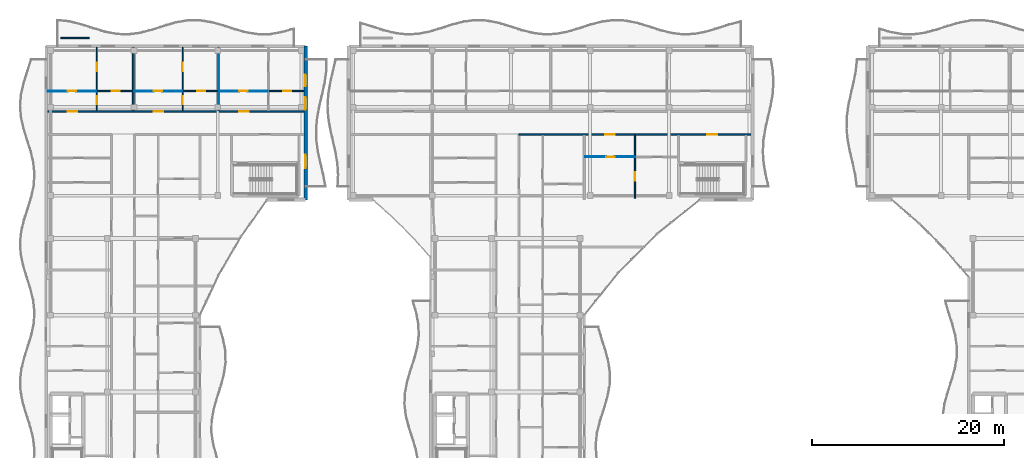
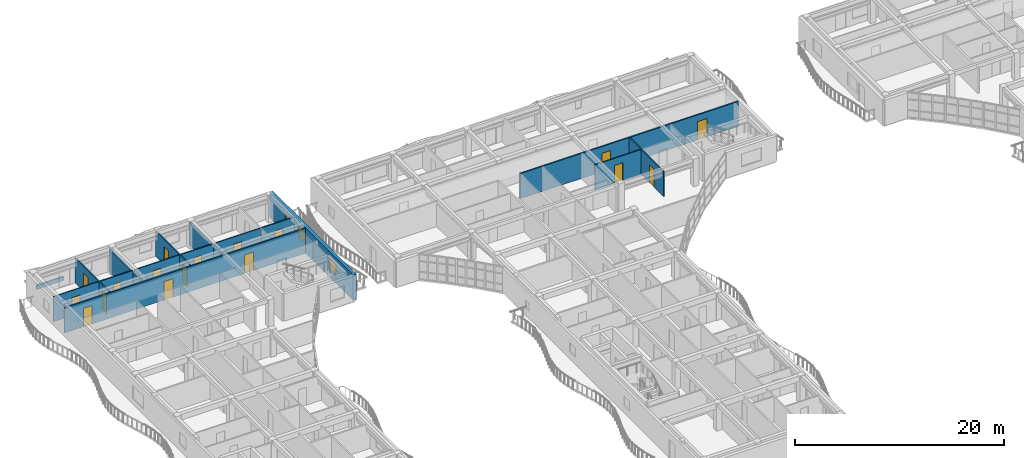
# One storey, part 43 of 79: 18 doors, 16 walls, 2 windows, 20 openings.
"""IFC4 building model written with IfcOpenShell, lengths in metres."""

from ifc_helpers import new_model, si_unit, direction, frame, frame_2d, origin, place, context, subcontext, project, spatial, rectangle, extrude, material, layer, layer_set, type_object, element, fill, save


model = new_model("IFC4")

# Units and contexts
model_context = context("Model", 3, precision=1e-05, world=origin(), true_north=direction((0.0, 1.0)))
body_context = subcontext(model_context, "Body", "Model", "MODEL_VIEW")
ifc_project = project(units=[si_unit("LENGTHUNIT", "METRE"), si_unit("AREAUNIT", "SQUARE_METRE"), si_unit("VOLUMEUNIT", "CUBIC_METRE"), si_unit("PLANEANGLEUNIT", "RADIAN"), si_unit("MASSUNIT", "GRAM", prefix="KILO")], contexts=[model_context])

# Site, building, storey
site_placement = place(None, origin())
site = spatial("IfcSite", under=ifc_project, at=site_placement, CompositionType="ELEMENT")
building_placement = place(site_placement, origin())
building = spatial("IfcBuilding", under=site, at=building_placement, Name="Keldmere Railside Commons", CompositionType="ELEMENT")
storey_placement = place(building_placement, frame((0.0, 0.0, 10.56005859375)))
storey = spatial("IfcBuildingStorey", under=building, at=storey_placement, Name="L03", CompositionType="ELEMENT", Elevation=10.56005859375)

# Walls
ifc_material_1 = material(Name="Acoustic Gypsum Board Partition", Category="gypsum")
ifc_layer_1 = layer(ifc_material_1, 0.179931640625, Name="Acoustic Demising Partition 180")
ifc_layer_set_1 = layer_set([ifc_layer_1], Name="Acoustic Gypsum Board Partition")
wall_type_1 = type_object("IfcWallType", Name="Acoustic Demising Partition 180", PredefinedType="PARTITIONING", material=ifc_layer_set_1)
for number, where, z_axis, x_axis, name in (
    (1, (17.06005859375, 109.280029296875, 0.0), (0.0, 0.0, 1.0), (0.0, 1.0, 0.0), "IW-1 IW-L03-0308"),
    (2, (25.93994140625, 109.280029296875, 0.0), (0.0, 0.0, 1.0), (0.0, 1.0, 0.0), "IW-1 IW-L03-0309"),
):
    element("IfcWall", number, at=place(storey_placement, frame(where, z_axis=z_axis, x_axis=x_axis)), inside=storey, type_object=wall_type_1, Name=name, PredefinedType="PARTITIONING", context=body_context, shape_type="SweptSolid", body=[
        extrude(rectangle(XDim=6.599853515625, YDim=0.179931640625, at=frame_2d((3.2998046875, 0.0))), origin(), (0.0, 0.0, 1.0), 2.679931640625),
    ])

# Wall, openings, doors
ifc_layer_2 = layer(ifc_material_1, 0.1201171875, Name="Apartment Interior Partition 120")
ifc_layer_set_2 = layer_set([ifc_layer_2], Name="Acoustic Gypsum Board Partition")
wall_type_2 = type_object("IfcWallType", Name="Apartment Interior Partition 120", PredefinedType="PARTITIONING", material=ifc_layer_set_2)
wall_1_placement = place(storey_placement, frame((13.280029296875, 109.280029296875, 0.0), z_axis=(0.0, 0.0, 1.0), x_axis=(0.0, 1.0, 0.0)))
wall_1 = element("IfcWall", 3, at=wall_1_placement, inside=storey, type_object=wall_type_2, Name="IW-4 IW-L03-0310", PredefinedType="PARTITIONING", context=body_context, shape_type="SweptSolid", body=[
    extrude(rectangle(XDim=6.599853515625, YDim=0.1201171875, at=frame_2d((3.2998046875, 0.0))), origin(), (0.0, 0.0, 1.0), 2.93505859375),
])
opening_1_placement = place(wall_1_placement, frame((0.656005859375, 0.0, 0.0)))
opening_1 = element("IfcOpeningElement", 4, at=opening_1_placement, cuts=wall_1, Name="Opening ID-04", PredefinedType="OPENING", context=body_context, shape_type="SweptSolid", body=[
    extrude(rectangle(XDim=0.860107421875, YDim=2.10009765625, at=frame_2d((0.43017578125, 1.050048828125))), frame((0.0, 0.070068359375, 0.0), z_axis=(0.0, -1.0, 0.0), x_axis=(1.0, 0.0, 0.0)), (0.0, 0.0, 1.0), 0.14013671875),
])
opening_2_placement = place(wall_1_placement, frame((4.097412109375, 0.0, 0.0)))
opening_2 = element("IfcOpeningElement", 5, at=opening_2_placement, cuts=wall_1, Name="Opening ID-01", PredefinedType="OPENING", context=body_context, shape_type="SweptSolid", body=[
    extrude(rectangle(XDim=0.89990234375, YDim=2.10009765625, at=frame_2d((0.449951171875, 1.050048828125))), frame((0.0, 0.070068359375, 0.0), z_axis=(0.0, -1.0, 0.0), x_axis=(1.0, 0.0, 0.0)), (0.0, 0.0, 1.0), 0.14013671875),
])
ifc_material_2 = material(Name="Engineered Oak Timber", Category="wood")
door_type_1 = type_object("IfcDoorType", Name="Apartment Bathroom Door 860x2100", OperationType="NOTDEFINED", PredefinedType="DOOR", material=ifc_material_2)
door_1_placement = place(opening_1_placement, origin())
door_1 = element("IfcDoor", 6, at=door_1_placement, inside=storey, type_object=door_type_1, Name="ID-04 IDR-L03-0215", OperationType="SINGLE_SWING_LEFT", OverallHeight=2.10009765625, OverallWidth=0.860107421875, PredefinedType="DOOR", context=body_context, shape_type="SweptSolid", body=[
    extrude(rectangle(XDim=0.860107421875, YDim=2.10009765625, at=frame_2d((0.43017578125, 1.050048828125))), frame((0.0, 0.02490234375, 0.0), z_axis=(0.0, -1.0, 0.0), x_axis=(1.0, 0.0, 0.0)), (0.0, 0.0, 1.0), 0.050048828125),
])
fill(opening_1, door_1)
door_type_2 = type_object("IfcDoorType", Name="Primary Bedroom Door 900x2100", OperationType="NOTDEFINED", PredefinedType="DOOR", material=ifc_material_2)
door_2_placement = place(opening_2_placement, origin())
door_2 = element("IfcDoor", 7, at=door_2_placement, inside=storey, type_object=door_type_2, Name="ID-01 IDR-L03-0216", OperationType="SINGLE_SWING_RIGHT", OverallHeight=2.10009765625, OverallWidth=0.89990234375, PredefinedType="DOOR", context=body_context, shape_type="SweptSolid", body=[
    extrude(rectangle(XDim=0.89990234375, YDim=2.10009765625, at=frame_2d((0.449951171875, 1.050048828125))), frame((0.0, 0.02490234375, 0.0), z_axis=(0.0, -1.0, 0.0), x_axis=(1.0, 0.0, 0.0)), (0.0, 0.0, 1.0), 0.050048828125),
])
fill(opening_2, door_2)

wall_2_placement = place(storey_placement, frame((22.199951171875, 109.280029296875, 0.0), z_axis=(0.0, 0.0, 1.0), x_axis=(0.0, 1.0, 0.0)))
wall_2 = element("IfcWall", 8, at=wall_2_placement, inside=storey, type_object=wall_type_2, Name="IW-4 IW-L03-0313", PredefinedType="PARTITIONING", context=body_context, shape_type="SweptSolid", body=[
    extrude(rectangle(XDim=6.599853515625, YDim=0.1201171875, at=frame_2d((3.2998046875, 0.0))), origin(), (0.0, 0.0, 1.0), 2.93505859375),
])
opening_3_placement = place(wall_2_placement, frame((0.656005859375, 0.0, 0.0)))
opening_3 = element("IfcOpeningElement", 9, at=opening_3_placement, cuts=wall_2, Name="Opening ID-04", PredefinedType="OPENING", context=body_context, shape_type="SweptSolid", body=[
    extrude(rectangle(XDim=0.860107421875, YDim=2.10009765625, at=frame_2d((0.43017578125, 1.050048828125))), frame((0.0, 0.070068359375, 0.0), z_axis=(0.0, -1.0, 0.0), x_axis=(1.0, 0.0, 0.0)), (0.0, 0.0, 1.0), 0.14013671875),
])
opening_4_placement = place(wall_2_placement, frame((4.097412109375, 0.0, 0.0)))
opening_4 = element("IfcOpeningElement", 10, at=opening_4_placement, cuts=wall_2, Name="Opening ID-01", PredefinedType="OPENING", context=body_context, shape_type="SweptSolid", body=[
    extrude(rectangle(XDim=0.89990234375, YDim=2.10009765625, at=frame_2d((0.449951171875, 1.050048828125))), frame((0.0, 0.070068359375, 0.0), z_axis=(0.0, -1.0, 0.0), x_axis=(1.0, 0.0, 0.0)), (0.0, 0.0, 1.0), 0.14013671875),
])
door_3_placement = place(opening_3_placement, origin())
door_3 = element("IfcDoor", 11, at=door_3_placement, inside=storey, type_object=door_type_1, Name="ID-04 IDR-L03-0220", OperationType="SINGLE_SWING_RIGHT", OverallHeight=2.10009765625, OverallWidth=0.860107421875, PredefinedType="DOOR", context=body_context, shape_type="SweptSolid", body=[
    extrude(rectangle(XDim=0.860107421875, YDim=2.10009765625, at=frame_2d((0.43017578125, 1.050048828125))), frame((0.0, 0.02490234375, 0.0), z_axis=(0.0, -1.0, 0.0), x_axis=(1.0, 0.0, 0.0)), (0.0, 0.0, 1.0), 0.050048828125),
])
fill(opening_3, door_3)
door_4_placement = place(opening_4_placement, origin())
door_4 = element("IfcDoor", 12, at=door_4_placement, inside=storey, type_object=door_type_2, Name="ID-01 IDR-L03-0221", OperationType="SINGLE_SWING_LEFT", OverallHeight=2.10009765625, OverallWidth=0.89990234375, PredefinedType="DOOR", context=body_context, shape_type="SweptSolid", body=[
    extrude(rectangle(XDim=0.89990234375, YDim=2.10009765625, at=frame_2d((0.449951171875, 1.050048828125))), frame((0.0, 0.02490234375, 0.0), z_axis=(0.0, -1.0, 0.0), x_axis=(1.0, 0.0, 0.0)), (0.0, 0.0, 1.0), 0.050048828125),
])
fill(opening_4, door_4)

# Wall, opening, door
wall_3_placement = place(storey_placement, frame((69.280029296875, 100.179931640625, 0.0), z_axis=(0.0, 0.0, 1.0), x_axis=(0.0, 1.0, 0.0)))
wall_3 = element("IfcWall", 13, at=wall_3_placement, inside=storey, type_object=wall_type_2, Name="IW-4 IW-L03-0628", PredefinedType="PARTITIONING", context=body_context, shape_type="SweptSolid", body=[
    extrude(rectangle(XDim=6.5400390625, YDim=0.1201171875, at=frame_2d((3.27001953125, 0.0))), origin(), (0.0, 0.0, 1.0), 2.93505859375),
])
opening_5_placement = place(wall_3_placement, frame((1.8017578125, 0.0, 0.0)))
opening_5 = element("IfcOpeningElement", 14, at=opening_5_placement, cuts=wall_3, Name="Opening ID-02", PredefinedType="OPENING", context=body_context, shape_type="SweptSolid", body=[
    extrude(rectangle(XDim=0.8798828125, YDim=2.10009765625, at=frame_2d((0.43994140625, 1.050048828125))), frame((0.0, 0.070068359375, 0.0), z_axis=(0.0, -1.0, 0.0), x_axis=(1.0, 0.0, 0.0)), (0.0, 0.0, 1.0), 0.14013671875),
])
door_type_3 = type_object("IfcDoorType", Name="Secondary Bedroom Door 880x2100", OperationType="NOTDEFINED", PredefinedType="DOOR", material=ifc_material_2)
door_5_placement = place(opening_5_placement, origin())
door_5 = element("IfcDoor", 15, at=door_5_placement, inside=storey, type_object=door_type_3, Name="ID-02 IDR-L03-0522", OperationType="SINGLE_SWING_RIGHT", OverallHeight=2.10009765625, OverallWidth=0.8798828125, PredefinedType="DOOR", context=body_context, shape_type="SweptSolid", body=[
    extrude(rectangle(XDim=0.8798828125, YDim=2.10009765625, at=frame_2d((0.43994140625, 1.050048828125))), frame((0.0, 0.02490234375, 0.0), z_axis=(0.0, -1.0, 0.0), x_axis=(1.0, 0.0, 0.0)), (0.0, 0.0, 1.0), 0.050048828125),
])
fill(opening_5, door_5)

# Wall
ifc_material_3 = material(Name="White Precast Concrete H-35 (C35/45)", Category="concrete")
ifc_layer_3 = layer(ifc_material_3, 0.169921875, Name="Balcony Planter Kerb Wall 170")
ifc_layer_set_3 = layer_set([ifc_layer_3], Name="White Precast Concrete H-35 (C35/45)")
wall_type_3 = type_object("IfcWallType", Name="Balcony Planter Kerb Wall 170", PredefinedType="PARAPET", material=ifc_layer_set_3)
wall_4_placement = place(storey_placement, frame((9.5, 116.85009765625, 0.0), z_axis=(0.0, 0.0, 1.0), x_axis=(1.0, 0.0, 0.0)))
element("IfcWall", 16, at=wall_4_placement, inside=storey, type_object=wall_type_3, Name="PW-2 PKBD-L03-0149", PredefinedType="PARAPET", context=body_context, shape_type="SweptSolid", body=[
    extrude(rectangle(XDim=3.0, YDim=0.169921875, at=frame_2d((1.5, 0.0))), origin(), (0.0, 0.0, 1.0), 0.449951171875),
])

# Wall, opening, door
ifc_layer_4 = layer(ifc_material_1, 0.10009765625, Name="Closet Light Partition 100")
ifc_layer_set_4 = layer_set([ifc_layer_4], Name="Acoustic Gypsum Board Partition")
wall_type_4 = type_object("IfcWallType", Name="Closet Light Partition 100", PredefinedType="PARTITIONING", material=ifc_layer_set_4)
wall_5_placement = place(storey_placement, frame((8.179931640625, 111.330078125, 0.0), z_axis=(0.0, 0.0, 1.0), x_axis=(1.0, 0.0, 0.0)))
wall_5 = element("IfcWall", 17, at=wall_5_placement, inside=storey, type_object=wall_type_4, Name="IW-6 IW-L03-0312", PredefinedType="PARTITIONING", context=body_context, shape_type="SweptSolid", body=[
    extrude(rectangle(XDim=5.0400390625, YDim=0.10009765625, at=frame_2d((2.52001953125, 0.0))), origin(), (0.0, 0.0, 1.0), 2.93505859375),
])
opening_6_placement = place(wall_5_placement, frame((2.0400390625, 0.0, 0.0)))
opening_6 = element("IfcOpeningElement", 18, at=opening_6_placement, cuts=wall_5, Name="Opening ID-03", PredefinedType="OPENING", context=body_context, shape_type="SweptSolid", body=[
    extrude(rectangle(XDim=0.919921875, YDim=2.10009765625, at=frame_2d((0.4599609375, 1.050048828125))), frame((0.0, 0.06005859375, 0.0), z_axis=(0.0, -1.0, 0.0), x_axis=(1.0, 0.0, 0.0)), (0.0, 0.0, 1.0), 0.1201171875),
])
door_type_4 = type_object("IfcDoorType", Name="Kitchen Pocket-Frame Swing Door 920x2100", OperationType="NOTDEFINED", PredefinedType="DOOR", material=ifc_material_2)
door_6_placement = place(opening_6_placement, origin())
door_6 = element("IfcDoor", 19, at=door_6_placement, inside=storey, type_object=door_type_4, Name="ID-03 IDR-L03-0214", OperationType="SINGLE_SWING_RIGHT", OverallHeight=2.10009765625, OverallWidth=0.919921875, PredefinedType="DOOR", context=body_context, shape_type="SweptSolid", body=[
    extrude(rectangle(XDim=0.919921875, YDim=2.10009765625, at=frame_2d((0.4599609375, 1.050048828125))), frame((0.0, 0.02490234375, 0.0), z_axis=(0.0, -1.0, 0.0), x_axis=(1.0, 0.0, 0.0)), (0.0, 0.0, 1.0), 0.050048828125),
])
fill(opening_6, door_6)

wall_6_placement = place(storey_placement, frame((17.14990234375, 111.330078125, 0.0), z_axis=(0.0, 0.0, 1.0), x_axis=(1.0, 0.0, 0.0)))
wall_6 = element("IfcWall", 20, at=wall_6_placement, inside=storey, type_object=wall_type_4, Name="IW-6 IW-L03-0315", PredefinedType="PARTITIONING", context=body_context, shape_type="SweptSolid", body=[
    extrude(rectangle(XDim=4.989990234375, YDim=0.10009765625, at=frame_2d((2.4951171875, 0.0))), origin(), (0.0, 0.0, 1.0), 2.93505859375),
])
opening_7_placement = place(wall_6_placement, frame((2.02001953125, 0.0, 0.0)))
opening_7 = element("IfcOpeningElement", 21, at=opening_7_placement, cuts=wall_6, Name="Opening ID-03", PredefinedType="OPENING", context=body_context, shape_type="SweptSolid", body=[
    extrude(rectangle(XDim=0.919921875, YDim=2.10009765625, at=frame_2d((0.4599609375, 1.050048828125))), frame((0.0, 0.06005859375, 0.0), z_axis=(0.0, -1.0, 0.0), x_axis=(1.0, 0.0, 0.0)), (0.0, 0.0, 1.0), 0.1201171875),
])
door_7_placement = place(opening_7_placement, origin())
door_7 = element("IfcDoor", 22, at=door_7_placement, inside=storey, type_object=door_type_4, Name="ID-03 IDR-L03-0219", OperationType="SINGLE_SWING_LEFT", OverallHeight=2.10009765625, OverallWidth=0.919921875, PredefinedType="DOOR", context=body_context, shape_type="SweptSolid", body=[
    extrude(rectangle(XDim=0.919921875, YDim=2.10009765625, at=frame_2d((0.4599609375, 1.050048828125))), frame((0.0, 0.02490234375, 0.0), z_axis=(0.0, -1.0, 0.0), x_axis=(1.0, 0.0, 0.0)), (0.0, 0.0, 1.0), 0.050048828125),
])
fill(opening_7, door_7)

wall_7_placement = place(storey_placement, frame((26.030029296875, 111.330078125, 0.0), z_axis=(0.0, 0.0, 1.0), x_axis=(1.0, 0.0, 0.0)))
wall_7 = element("IfcWall", 23, at=wall_7_placement, inside=storey, type_object=wall_type_4, Name="IW-6 IW-L03-0318", PredefinedType="PARTITIONING", context=body_context, shape_type="SweptSolid", body=[
    extrude(rectangle(XDim=5.0400390625, YDim=0.10009765625, at=frame_2d((2.52001953125, 0.0))), origin(), (0.0, 0.0, 1.0), 2.93505859375),
])
opening_8_placement = place(wall_7_placement, frame((2.0400390625, 0.0, 0.0)))
opening_8 = element("IfcOpeningElement", 24, at=opening_8_placement, cuts=wall_7, Name="Opening ID-03", PredefinedType="OPENING", context=body_context, shape_type="SweptSolid", body=[
    extrude(rectangle(XDim=0.919921875, YDim=2.10009765625, at=frame_2d((0.4599609375, 1.050048828125))), frame((0.0, 0.06005859375, 0.0), z_axis=(0.0, -1.0, 0.0), x_axis=(1.0, 0.0, 0.0)), (0.0, 0.0, 1.0), 0.1201171875),
])
door_8_placement = place(opening_8_placement, origin())
door_8 = element("IfcDoor", 25, at=door_8_placement, inside=storey, type_object=door_type_4, Name="ID-03 IDR-L03-0224", OperationType="SINGLE_SWING_RIGHT", OverallHeight=2.10009765625, OverallWidth=0.919921875, PredefinedType="DOOR", context=body_context, shape_type="SweptSolid", body=[
    extrude(rectangle(XDim=0.919921875, YDim=2.10009765625, at=frame_2d((0.4599609375, 1.050048828125))), frame((0.0, 0.02490234375, 0.0), z_axis=(0.0, -1.0, 0.0), x_axis=(1.0, 0.0, 0.0)), (0.0, 0.0, 1.0), 0.050048828125),
])
fill(opening_8, door_8)

wall_8_placement = place(storey_placement, frame((64.090087890625, 104.469970703125, 0.0), z_axis=(0.0, 0.0, 1.0), x_axis=(1.0, 0.0, 0.0)))
wall_8 = element("IfcWall", 26, at=wall_8_placement, inside=storey, type_object=wall_type_4, Name="IW-6 IW-L03-0630", PredefinedType="PARTITIONING", context=body_context, shape_type="SweptSolid", body=[
    extrude(rectangle(XDim=5.1298828125, YDim=0.10009765625, at=frame_2d((2.56494140625, 0.0))), origin(), (0.0, 0.0, 1.0), 2.93505859375),
])
opening_9_placement = place(wall_8_placement, frame((2.1796875, 0.0, 0.0)))
opening_9 = element("IfcOpeningElement", 27, at=opening_9_placement, cuts=wall_8, Name="Opening ID-03", PredefinedType="OPENING", context=body_context, shape_type="SweptSolid", body=[
    extrude(rectangle(XDim=0.919921875, YDim=2.10009765625, at=frame_2d((0.4599609375, 1.050048828125))), frame((0.0, 0.06005859375, 0.0), z_axis=(0.0, -1.0, 0.0), x_axis=(1.0, 0.0, 0.0)), (0.0, 0.0, 1.0), 0.1201171875),
])
door_9_placement = place(opening_9_placement, origin())
door_9 = element("IfcDoor", 28, at=door_9_placement, inside=storey, type_object=door_type_4, Name="ID-03 IDR-L03-0521", OperationType="SINGLE_SWING_LEFT", OverallHeight=2.10009765625, OverallWidth=0.919921875, PredefinedType="DOOR", context=body_context, shape_type="SweptSolid", body=[
    extrude(rectangle(XDim=0.919921875, YDim=2.10009765625, at=frame_2d((0.4599609375, 1.050048828125))), frame((0.0, 0.02490234375, 0.0), z_axis=(0.0, -1.0, 0.0), x_axis=(1.0, 0.0, 0.0)), (0.0, 0.0, 1.0), 0.050048828125),
])
fill(opening_9, door_9)

# Wall, openings, doors
ifc_layer_5 = layer(ifc_material_1, 0.159912109375, Name="Corridor Fire Partition 160")
ifc_layer_set_5 = layer_set([ifc_layer_5], Name="Acoustic Gypsum Board Partition")
wall_type_5 = type_object("IfcWallType", Name="Corridor Fire Partition 160", PredefinedType="PARTITIONING", material=ifc_layer_set_5)
wall_9_placement = place(storey_placement, frame((8.179931640625, 109.199951171875, 0.0), z_axis=(0.0, 0.0, 1.0), x_axis=(1.0, 0.0, 0.0)))
wall_9 = element("IfcWall", 29, at=wall_9_placement, inside=storey, type_object=wall_type_5, Name="IW-2 IW-L03-0290", PredefinedType="PARTITIONING", context=body_context, shape_type="SweptSolid", body=[
    extrude(rectangle(XDim=26.64013671875, YDim=0.159912109375, at=frame_2d((13.320068359375, 0.0))), origin(), (0.0, 0.0, 1.0), 2.93505859375),
])
opening_10_placement = place(wall_9_placement, frame((2.06005859375, 0.0, 0.0)))
opening_10 = element("IfcOpeningElement", 30, at=opening_10_placement, cuts=wall_9, Name="Opening FD-7", PredefinedType="OPENING", context=body_context, shape_type="SweptSolid", body=[
    extrude(rectangle(XDim=0.97998046875, YDim=2.14990234375, at=frame_2d((0.489990234375, 1.074951171875))), frame((0.0, 0.08984375, 0.0), z_axis=(0.0, -1.0, 0.0), x_axis=(1.0, 0.0, 0.0)), (0.0, 0.0, 1.0), 0.179931640625),
])
opening_11_placement = place(wall_9_placement, frame((11.0048828125, 0.0, 0.0)))
opening_11 = element("IfcOpeningElement", 31, at=opening_11_placement, cuts=wall_9, Name="Opening FD-7", PredefinedType="OPENING", context=body_context, shape_type="SweptSolid", body=[
    extrude(rectangle(XDim=0.97998046875, YDim=2.14990234375, at=frame_2d((0.489990234375, 1.074951171875))), frame((0.0, 0.08984375, 0.0), z_axis=(0.0, -1.0, 0.0), x_axis=(1.0, 0.0, 0.0)), (0.0, 0.0, 1.0), 0.179931640625),
])
opening_12_placement = place(wall_9_placement, frame((19.909912109375, 0.0, 0.0)))
opening_12 = element("IfcOpeningElement", 32, at=opening_12_placement, cuts=wall_9, Name="Opening FD-7", PredefinedType="OPENING", context=body_context, shape_type="SweptSolid", body=[
    extrude(rectangle(XDim=0.97998046875, YDim=2.14990234375, at=frame_2d((0.489990234375, 1.074951171875))), frame((0.0, 0.08984375, 0.0), z_axis=(0.0, -1.0, 0.0), x_axis=(1.0, 0.0, 0.0)), (0.0, 0.0, 1.0), 0.179931640625),
])
door_type_5 = type_object("IfcDoorType", Name="Apartment Entrance Acoustic Fire Door 980x2150", OperationType="NOTDEFINED", PredefinedType="DOOR", material=ifc_material_2)
door_10_placement = place(opening_10_placement, origin())
door_10 = element("IfcDoor", 33, at=door_10_placement, inside=storey, type_object=door_type_5, Name="FD-7 IDR-L03-0213", OperationType="SINGLE_SWING_LEFT", OverallHeight=2.14990234375, OverallWidth=0.97998046875, PredefinedType="DOOR", context=body_context, shape_type="SweptSolid", body=[
    extrude(rectangle(XDim=0.97998046875, YDim=2.14990234375, at=frame_2d((0.489990234375, 1.074951171875))), frame((0.0, 0.02490234375, 0.0), z_axis=(0.0, -1.0, 0.0), x_axis=(1.0, 0.0, 0.0)), (0.0, 0.0, 1.0), 0.050048828125),
])
fill(opening_10, door_10)
door_11_placement = place(opening_11_placement, origin())
door_11 = element("IfcDoor", 34, at=door_11_placement, inside=storey, type_object=door_type_5, Name="FD-7 IDR-L03-0218", OperationType="SINGLE_SWING_RIGHT", OverallHeight=2.14990234375, OverallWidth=0.97998046875, PredefinedType="DOOR", context=body_context, shape_type="SweptSolid", body=[
    extrude(rectangle(XDim=0.97998046875, YDim=2.14990234375, at=frame_2d((0.489990234375, 1.074951171875))), frame((0.0, 0.02490234375, 0.0), z_axis=(0.0, -1.0, 0.0), x_axis=(1.0, 0.0, 0.0)), (0.0, 0.0, 1.0), 0.050048828125),
])
fill(opening_11, door_11)
door_12_placement = place(opening_12_placement, origin())
door_12 = element("IfcDoor", 35, at=door_12_placement, inside=storey, type_object=door_type_5, Name="FD-7 IDR-L03-0223", OperationType="SINGLE_SWING_LEFT", OverallHeight=2.14990234375, OverallWidth=0.97998046875, PredefinedType="DOOR", context=body_context, shape_type="SweptSolid", body=[
    extrude(rectangle(XDim=0.97998046875, YDim=2.14990234375, at=frame_2d((0.489990234375, 1.074951171875))), frame((0.0, 0.02490234375, 0.0), z_axis=(0.0, -1.0, 0.0), x_axis=(1.0, 0.0, 0.0)), (0.0, 0.0, 1.0), 0.050048828125),
])
fill(opening_12, door_12)

wall_10_placement = place(storey_placement, frame((57.199951171875, 106.800048828125, 0.0), z_axis=(0.0, 0.0, 1.0), x_axis=(1.0, 0.0, 0.0)))
wall_10 = element("IfcWall", 36, at=wall_10_placement, inside=storey, type_object=wall_type_5, Name="IW-2 IW-L03-0598", PredefinedType="PARTITIONING", context=body_context, shape_type="SweptSolid", body=[
    extrude(rectangle(XDim=24.1201171875, YDim=0.159912109375, at=frame_2d((12.06005859375, 0.0))), origin(), (0.0, 0.0, 1.0), 2.93505859375),
])
opening_13_placement = place(wall_10_placement, frame((19.574951171875, 0.0, 0.0)))
opening_13 = element("IfcOpeningElement", 37, at=opening_13_placement, cuts=wall_10, Name="Opening FD-1", PredefinedType="OPENING", context=body_context, shape_type="SweptSolid", body=[
    extrude(rectangle(XDim=1.050048828125, YDim=2.14990234375, at=frame_2d((0.52490234375, 1.074951171875))), frame((0.0, 0.08984375, 0.0), z_axis=(0.0, -1.0, 0.0), x_axis=(1.0, 0.0, 0.0)), (0.0, 0.0, 1.0), 0.179931640625),
])
opening_14_placement = place(wall_10_placement, frame((8.9951171875, 0.0, 0.0)))
opening_14 = element("IfcOpeningElement", 38, at=opening_14_placement, cuts=wall_10, Name="Opening FD-7", PredefinedType="OPENING", context=body_context, shape_type="SweptSolid", body=[
    extrude(rectangle(XDim=0.97998046875, YDim=2.14990234375, at=frame_2d((0.489990234375, 1.074951171875))), frame((0.0, 0.08984375, 0.0), z_axis=(0.0, -1.0, 0.0), x_axis=(1.0, 0.0, 0.0)), (0.0, 0.0, 1.0), 0.179931640625),
])
door_13_placement = place(opening_14_placement, origin())
door_13 = element("IfcDoor", 39, at=door_13_placement, inside=storey, type_object=door_type_5, Name="FD-7 IDR-L03-0520", OperationType="SINGLE_SWING_RIGHT", OverallHeight=2.14990234375, OverallWidth=0.97998046875, PredefinedType="DOOR", context=body_context, shape_type="SweptSolid", body=[
    extrude(rectangle(XDim=0.97998046875, YDim=2.14990234375, at=frame_2d((0.489990234375, 1.074951171875))), frame((0.0, 0.02490234375, 0.0), z_axis=(0.0, -1.0, 0.0), x_axis=(1.0, 0.0, 0.0)), (0.0, 0.0, 1.0), 0.050048828125),
])
fill(opening_14, door_13)
ifc_material_4 = material(Name="Steel F-24 (S235)", Category="steel")
door_type_6 = type_object("IfcDoorType", Name="Stair Core Fire Door 1050x2150", OperationType="NOTDEFINED", PredefinedType="DOOR", material=ifc_material_4)
door_14_placement = place(opening_13_placement, origin())
door_14 = element("IfcDoor", 40, at=door_14_placement, inside=storey, type_object=door_type_6, Name="FD-1 IDR-L03-0489", OperationType="SINGLE_SWING_LEFT", OverallHeight=2.14990234375, OverallWidth=1.050048828125, PredefinedType="DOOR", context=body_context, shape_type="SweptSolid", body=[
    extrude(rectangle(XDim=1.050048828125, YDim=2.14990234375, at=frame_2d((0.52490234375, 1.074951171875))), frame((0.0, 0.02490234375, 0.0), z_axis=(0.0, -1.0, 0.0), x_axis=(1.0, 0.0, 0.0)), (0.0, 0.0, 1.0), 0.050048828125),
])
fill(opening_13, door_14)

# Wall, openings, door, windows
ifc_material_5 = material(Name="Concrete H-35 (C35/45)", Category="concrete")
ifc_layer_6 = layer(ifc_material_5, 0.360107421875, Name="Exterior Shear Wall 360")
ifc_layer_set_6 = layer_set([ifc_layer_6], Name="Concrete H-35 (C35/45)")
wall_type_6 = type_object("IfcWallType", Name="Exterior Shear Wall 360", PredefinedType="SHEAR", material=ifc_layer_set_6)
wall_11_placement = place(storey_placement, frame((35.0, 116.0, 0.0), z_axis=(0.0, 0.0, 1.0), x_axis=(0.0, -1.0, 0.0)))
wall_11 = element("IfcWall", 41, at=wall_11_placement, inside=storey, type_object=wall_type_6, Name="ESW-1 EXTD-L03-0146", PredefinedType="SHEAR", context=body_context, shape_type="SweptSolid", body=[
    extrude(rectangle(XDim=16.0, YDim=0.360107421875, at=frame_2d((8.0, 0.0))), origin(), (0.0, 0.0, 1.0), 2.97998046875),
])
opening_15_placement = place(wall_11_placement, frame((2.949951171875, 0.0, 0.0)))
opening_15 = element("IfcOpeningElement", 42, at=opening_15_placement, cuts=wall_11, Name="Opening BD-01", PredefinedType="OPENING", context=body_context, shape_type="SweptSolid", body=[
    extrude(rectangle(XDim=1.199951171875, YDim=2.199951171875, at=frame_2d((0.60009765625, 1.10009765625))), frame((0.0, 0.18994140625, 0.0), z_axis=(0.0, -1.0, 0.0), x_axis=(1.0, 0.0, 0.0)), (0.0, 0.0, 1.0), 0.380126953125),
])
opening_16_placement = place(wall_11_placement, frame((5.300048828125, 0.0, 0.820068359375)))
opening_16 = element("IfcOpeningElement", 43, at=opening_16_placement, cuts=wall_11, Name="Opening WN-10", PredefinedType="OPENING", context=body_context, shape_type="SweptSolid", body=[
    extrude(rectangle(XDim=1.300048828125, YDim=1.39990234375, at=frame_2d((0.64990234375, 0.699951171875))), frame((0.0, 0.18994140625, 0.0), z_axis=(0.0, -1.0, 0.0), x_axis=(1.0, 0.0, 0.0)), (0.0, 0.0, 1.0), 0.380126953125),
])
opening_17_placement = place(wall_11_placement, frame((11.300048828125, 0.0, 0.8701171875)))
opening_17 = element("IfcOpeningElement", 44, at=opening_17_placement, cuts=wall_11, Name="Opening WN-08", PredefinedType="OPENING", context=body_context, shape_type="SweptSolid", body=[
    extrude(rectangle(XDim=1.39990234375, YDim=1.35009765625, at=frame_2d((0.699951171875, 0.675048828125))), frame((0.0, 0.18994140625, 0.0), z_axis=(0.0, -1.0, 0.0), x_axis=(1.0, 0.0, 0.0)), (0.0, 0.0, 1.0), 0.380126953125),
])
ifc_material_6 = material(Name="Thermally Broken Aluminium", Category="aluminium")
door_type_7 = type_object("IfcDoorType", Name="Apartment Living Wave-Balcony Glazed Door 1200x2200", OperationType="NOTDEFINED", PredefinedType="DOOR", material=ifc_material_6)
door_15_placement = place(opening_15_placement, origin())
door_15 = element("IfcDoor", 45, at=door_15_placement, inside=storey, type_object=door_type_7, Name="BD-01 DR-L03-0021", OperationType="SINGLE_SWING_LEFT", OverallHeight=2.199951171875, OverallWidth=1.199951171875, PredefinedType="DOOR", context=body_context, shape_type="SweptSolid", body=[
    extrude(rectangle(XDim=1.199951171875, YDim=2.199951171875, at=frame_2d((0.60009765625, 1.10009765625))), frame((0.0, 0.02490234375, 0.0), z_axis=(0.0, -1.0, 0.0), x_axis=(1.0, 0.0, 0.0)), (0.0, 0.0, 1.0), 0.050048828125),
])
fill(opening_15, door_15)
ifc_material_7 = material(Name="Low-E Insulated Double Glazing", Category="glass")
window_type_1 = type_object("IfcWindowType", Name="Primary Bedroom East/West Window 1400x1350", PartitioningType="SINGLE_PANEL", PredefinedType="WINDOW", material=ifc_material_7)
window_1_placement = place(opening_17_placement, origin())
window_1 = element("IfcWindow", 46, at=window_1_placement, inside=storey, type_object=window_type_1, Name="WN-08 WIN-L03-0072", OverallHeight=1.35009765625, OverallWidth=1.39990234375, PartitioningType="SINGLE_PANEL", PredefinedType="WINDOW", context=body_context, shape_type="SweptSolid", body=[
    extrude(rectangle(XDim=1.39990234375, YDim=1.35009765625, at=frame_2d((0.699951171875, 0.675048828125))), frame((0.0, 0.030029296875, 0.0), z_axis=(0.0, -1.0, 0.0), x_axis=(1.0, 0.0, 0.0)), (0.0, 0.0, 1.0), 0.06005859375),
])
fill(opening_17, window_1)
window_type_2 = type_object("IfcWindowType", Name="Secondary Bedroom Court Window 1300x1400", PartitioningType="SINGLE_PANEL", PredefinedType="WINDOW", material=ifc_material_7)
window_2_placement = place(opening_16_placement, origin())
window_2 = element("IfcWindow", 47, at=window_2_placement, inside=storey, type_object=window_type_2, Name="WN-10 WIN-L03-0071", OverallHeight=1.39990234375, OverallWidth=1.300048828125, PartitioningType="SINGLE_PANEL", PredefinedType="WINDOW", context=body_context, shape_type="SweptSolid", body=[
    extrude(rectangle(XDim=1.300048828125, YDim=1.39990234375, at=frame_2d((0.64990234375, 0.699951171875))), frame((0.0, 0.030029296875, 0.0), z_axis=(0.0, -1.0, 0.0), x_axis=(1.0, 0.0, 0.0)), (0.0, 0.0, 1.0), 0.06005859375),
])
fill(opening_16, window_2)

# Wall, opening, door
ifc_layer_7 = layer(ifc_material_1, 0.139892578125, Name="Wet-Room Sanitary Partition 140")
ifc_layer_set_7 = layer_set([ifc_layer_7], Name="Acoustic Gypsum Board Partition")
wall_type_7 = type_object("IfcWallType", Name="Wet-Room Sanitary Partition 140", PredefinedType="PARTITIONING", material=ifc_layer_set_7)
wall_12_placement = place(storey_placement, frame((13.340087890625, 111.330078125, 0.0), z_axis=(0.0, 0.0, 1.0), x_axis=(1.0, 0.0, 0.0)))
wall_12 = element("IfcWall", 48, at=wall_12_placement, inside=storey, type_object=wall_type_7, Name="IW-5 IW-L03-0311", PredefinedType="PARTITIONING", context=body_context, shape_type="SweptSolid", body=[
    extrude(rectangle(XDim=3.6298828125, YDim=0.139892578125, at=frame_2d((1.81494140625, 0.0))), origin(), (0.0, 0.0, 1.0), 2.93505859375),
])
opening_18_placement = place(wall_12_placement, frame((1.47607421875, 0.0, 0.0)))
opening_18 = element("IfcOpeningElement", 49, at=opening_18_placement, cuts=wall_12, Name="Opening ID-06", PredefinedType="OPENING", context=body_context, shape_type="SweptSolid", body=[
    extrude(rectangle(XDim=0.85009765625, YDim=2.050048828125, at=frame_2d((0.425048828125, 1.02490234375))), frame((0.0, 0.079833984375, 0.0), z_axis=(0.0, -1.0, 0.0), x_axis=(1.0, 0.0, 0.0)), (0.0, 0.0, 1.0), 0.159912109375),
])
door_type_8 = type_object("IfcDoorType", Name="Storage Closet Door 850x2050", OperationType="NOTDEFINED", PredefinedType="DOOR", material=ifc_material_2)
door_16_placement = place(opening_18_placement, origin())
door_16 = element("IfcDoor", 50, at=door_16_placement, inside=storey, type_object=door_type_8, Name="ID-06 IDR-L03-0217", OperationType="SINGLE_SWING_LEFT", OverallHeight=2.050048828125, OverallWidth=0.85009765625, PredefinedType="DOOR", context=body_context, shape_type="SweptSolid", body=[
    extrude(rectangle(XDim=0.85009765625, YDim=2.050048828125, at=frame_2d((0.425048828125, 1.02490234375))), frame((0.0, 0.02490234375, 0.0), z_axis=(0.0, -1.0, 0.0), x_axis=(1.0, 0.0, 0.0)), (0.0, 0.0, 1.0), 0.050048828125),
])
fill(opening_18, door_16)

wall_13_placement = place(storey_placement, frame((22.260009765625, 111.330078125, 0.0), z_axis=(0.0, 0.0, 1.0), x_axis=(1.0, 0.0, 0.0)))
wall_13 = element("IfcWall", 51, at=wall_13_placement, inside=storey, type_object=wall_type_7, Name="IW-5 IW-L03-0314", PredefinedType="PARTITIONING", context=body_context, shape_type="SweptSolid", body=[
    extrude(rectangle(XDim=3.590087890625, YDim=0.139892578125, at=frame_2d((1.794921875, 0.0))), origin(), (0.0, 0.0, 1.0), 2.93505859375),
])
opening_19_placement = place(wall_13_placement, frame((1.4599609375, 0.0, 0.0)))
opening_19 = element("IfcOpeningElement", 52, at=opening_19_placement, cuts=wall_13, Name="Opening ID-06", PredefinedType="OPENING", context=body_context, shape_type="SweptSolid", body=[
    extrude(rectangle(XDim=0.85009765625, YDim=2.050048828125, at=frame_2d((0.425048828125, 1.02490234375))), frame((0.0, 0.079833984375, 0.0), z_axis=(0.0, -1.0, 0.0), x_axis=(1.0, 0.0, 0.0)), (0.0, 0.0, 1.0), 0.159912109375),
])
door_17_placement = place(opening_19_placement, origin())
door_17 = element("IfcDoor", 53, at=door_17_placement, inside=storey, type_object=door_type_8, Name="ID-06 IDR-L03-0222", OperationType="SINGLE_SWING_RIGHT", OverallHeight=2.050048828125, OverallWidth=0.85009765625, PredefinedType="DOOR", context=body_context, shape_type="SweptSolid", body=[
    extrude(rectangle(XDim=0.85009765625, YDim=2.050048828125, at=frame_2d((0.425048828125, 1.02490234375))), frame((0.0, 0.02490234375, 0.0), z_axis=(0.0, -1.0, 0.0), x_axis=(1.0, 0.0, 0.0)), (0.0, 0.0, 1.0), 0.050048828125),
])
fill(opening_19, door_17)

wall_14_placement = place(storey_placement, frame((31.18994140625, 111.330078125, 0.0), z_axis=(0.0, 0.0, 1.0), x_axis=(1.0, 0.0, 0.0)))
wall_14 = element("IfcWall", 54, at=wall_14_placement, inside=storey, type_object=wall_type_7, Name="IW-5 IW-L03-0317", PredefinedType="PARTITIONING", context=body_context, shape_type="SweptSolid", body=[
    extrude(rectangle(XDim=3.630126953125, YDim=0.139892578125, at=frame_2d((1.81494140625, 0.0))), origin(), (0.0, 0.0, 1.0), 2.93505859375),
])
opening_20_placement = place(wall_14_placement, frame((1.47607421875, 0.0, 0.0)))
opening_20 = element("IfcOpeningElement", 55, at=opening_20_placement, cuts=wall_14, Name="Opening ID-06", PredefinedType="OPENING", context=body_context, shape_type="SweptSolid", body=[
    extrude(rectangle(XDim=0.85009765625, YDim=2.050048828125, at=frame_2d((0.425048828125, 1.02490234375))), frame((0.0, 0.079833984375, 0.0), z_axis=(0.0, -1.0, 0.0), x_axis=(1.0, 0.0, 0.0)), (0.0, 0.0, 1.0), 0.159912109375),
])
door_18_placement = place(opening_20_placement, origin())
door_18 = element("IfcDoor", 56, at=door_18_placement, inside=storey, type_object=door_type_8, Name="ID-06 IDR-L03-0227", OperationType="SINGLE_SWING_LEFT", OverallHeight=2.050048828125, OverallWidth=0.85009765625, PredefinedType="DOOR", context=body_context, shape_type="SweptSolid", body=[
    extrude(rectangle(XDim=0.85009765625, YDim=2.050048828125, at=frame_2d((0.425048828125, 1.02490234375))), frame((0.0, 0.02490234375, 0.0), z_axis=(0.0, -1.0, 0.0), x_axis=(1.0, 0.0, 0.0)), (0.0, 0.0, 1.0), 0.050048828125),
])
fill(opening_20, door_18)

save(model, "model.ifc")
